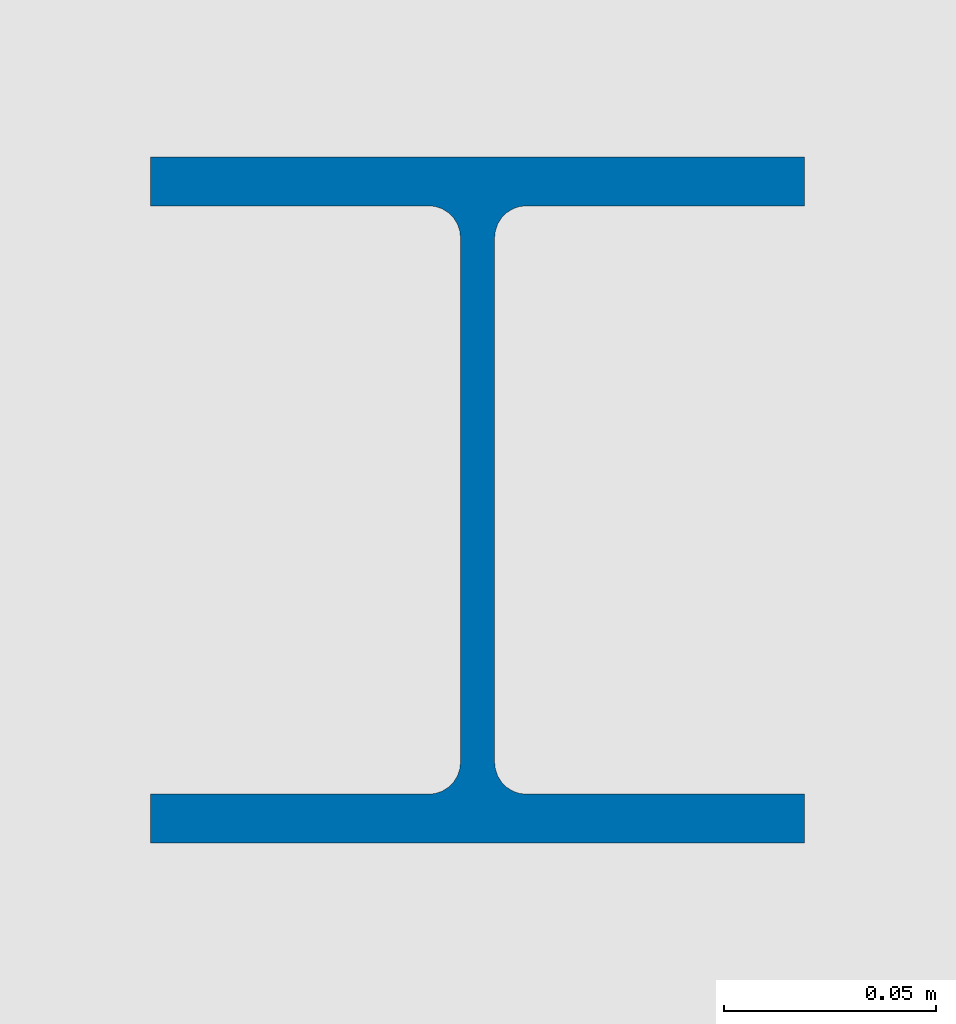
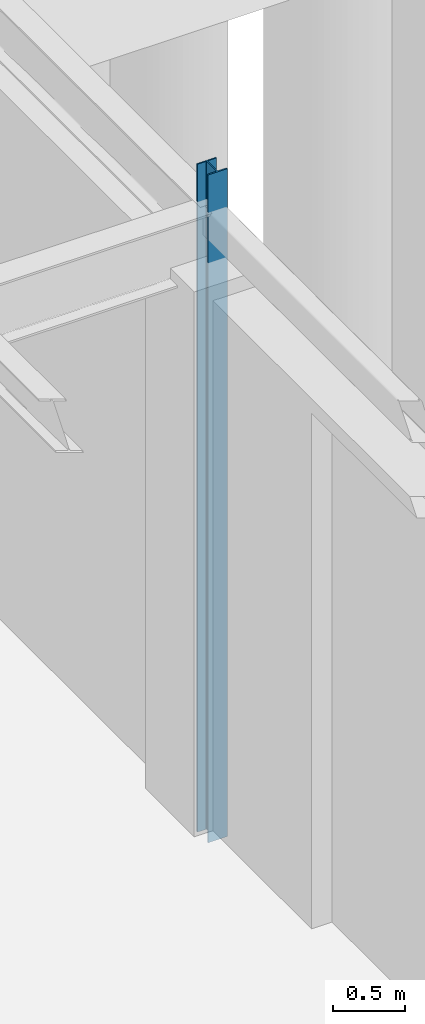
# One storey, part 32 of 293: 1 column.
"""IFC4 building model written with IfcOpenShell, lengths in metres."""

from ifc_helpers import new_model, si_unit, direction, frame, origin, origin_2d, place, context, subcontext, project, spatial, i_section, extrude, material, material_profile, profile_set, type_object, element, save


model = new_model("IFC4")

# Units and contexts
model_context = context("Model", 3, precision=1e-05, world=origin(), true_north=direction((0.0, 1.0)))
body_context = subcontext(model_context, "Body", "Model", "MODEL_VIEW")
ifc_project = project(units=[si_unit("LENGTHUNIT", "METRE"), si_unit("AREAUNIT", "SQUARE_METRE"), si_unit("VOLUMEUNIT", "CUBIC_METRE"), si_unit("PLANEANGLEUNIT", "RADIAN"), si_unit("MASSUNIT", "GRAM", prefix="KILO")], contexts=[model_context])

# Site, building, storey
site_placement = place(None, origin())
site = spatial("IfcSite", under=ifc_project, at=site_placement, CompositionType="ELEMENT")
building_placement = place(site_placement, origin())
building = spatial("IfcBuilding", under=site, at=building_placement, Name="Kemerveld Promenade Tramway Depot", CompositionType="ELEMENT")
storey_placement = place(building_placement, origin())
storey = spatial("IfcBuildingStorey", under=building, at=storey_placement, Name="L00", CompositionType="ELEMENT", Elevation=0.0)

# Column
ifc_material = material(Name="Steel S355", Category="steel")
ifc_material_profile = material_profile(ifc_material, i_section(OverallWidth=0.154296875, OverallDepth=0.161865234375, WebThickness=0.008056640625, FlangeThickness=0.011474609375, FilletRadius=0.007568359375, at=origin_2d()), Name="152x152x37 UC")
ifc_profile_set = profile_set([ifc_material_profile], Name="Steel S355")
column_type = type_object("IfcColumnType", Name="COL-S12", PredefinedType="COLUMN", material=ifc_profile_set)
column_placement = place(storey_placement, frame((158.39990234375, 72.0, -0.300048828125), z_axis=(0.0, 0.0, 1.0), x_axis=(1.0, 0.0, 0.0)))
element("IfcColumn", 1, at=column_placement, inside=storey, type_object=column_type, Name="COL-L00-23-L", PredefinedType="COLUMN", context=body_context, shape_type="SweptSolid", body=[
    extrude(i_section(OverallWidth=0.154296875, OverallDepth=0.161865234375, WebThickness=0.008056640625, FlangeThickness=0.011474609375, FilletRadius=0.007568359375, at=origin_2d()), origin(), (0.0, 0.0, 1.0), 5.699951171875),
])

save(model, "model.ifc")
